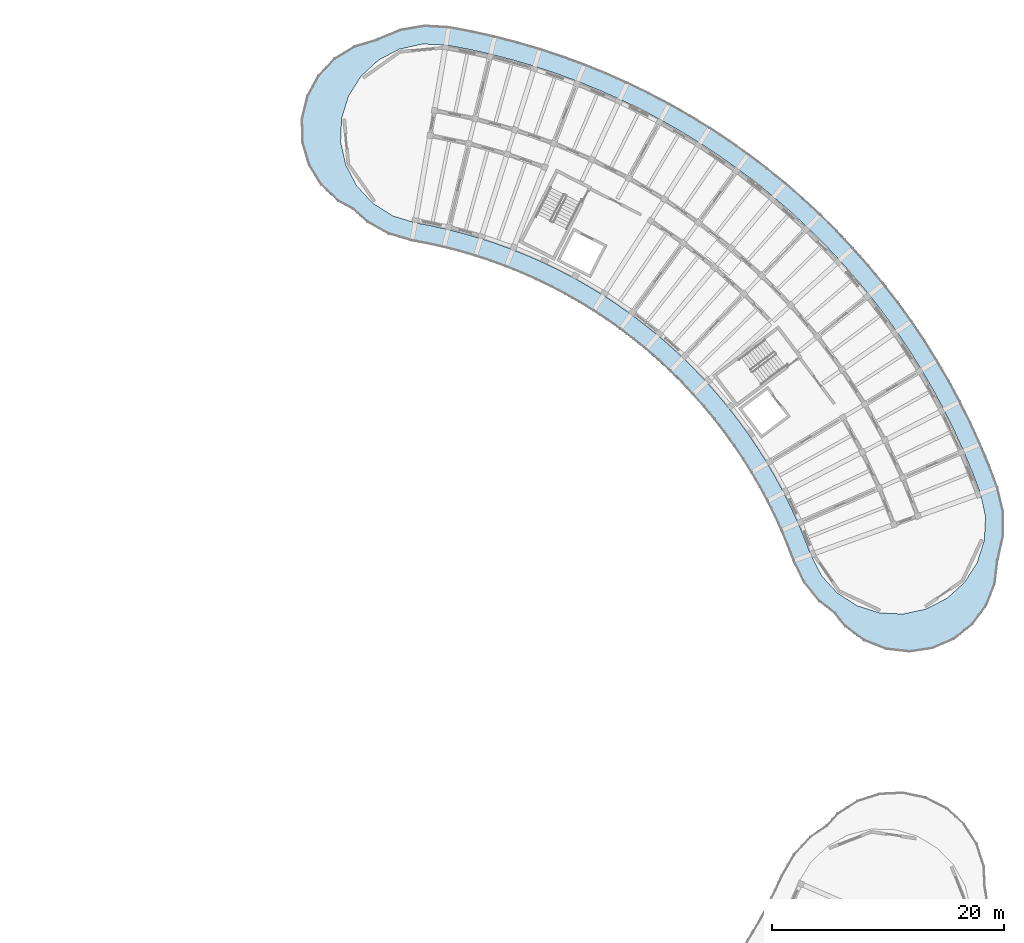
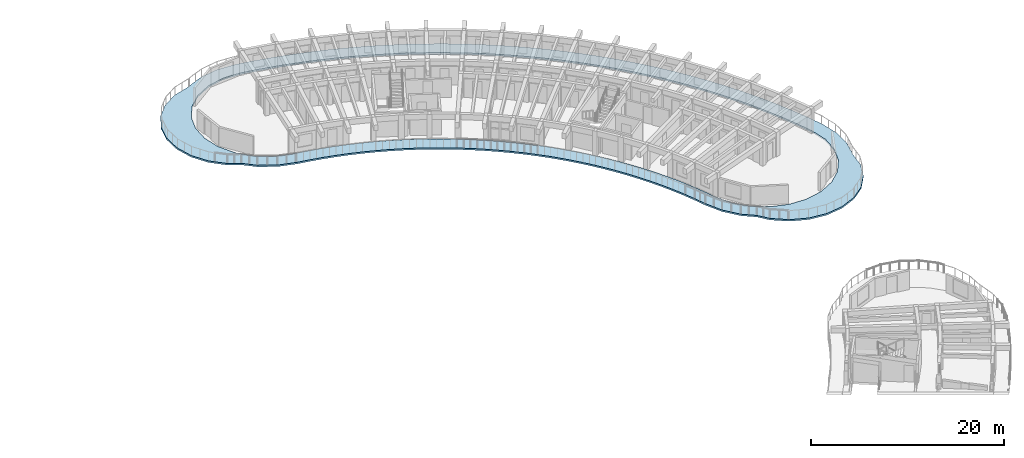
# One storey, part 37 of 83: 1 slab.
"""IFC4 building model written with IfcOpenShell, lengths in metres."""

import ifcopenshell
import ifcopenshell.guid

model = None  # the IFC model being written
_history = None  # IfcOwnerHistory: only IFC2X3 demands one
_inside = {}  # id of a spatial element -> (the spatial element, [elements in it])
_under = {}  # id of a project, library or spatial element -> (it, [spatial elements below it])
_declared = {}  # id of a project -> (the project, [libraries it declares])
_typed = {}  # id of a type object -> (the type object, [elements of that type])
_made_of = {}  # id of a material, layer set ... -> (it, [elements and type objects made of it])


def new_model(schema):
    """Start an empty IFC model of exactly this schema.

    Asked for "IFC4X3", IfcOpenShell would pick the latest addendum, in which some entities
    have other attributes; the version numbers below select the first issue.
    IFC2X3 requires an IfcOwnerHistory on every rooted entity: one is made here for all.
    """
    global model, _history
    if schema == "IFC4X3":
        model = ifcopenshell.file(schema_version=(4, 3, 0, 0))
    else:
        model = ifcopenshell.file(schema=schema)
    _inside.clear()
    _under.clear()
    _declared.clear()
    _typed.clear()
    _made_of.clear()
    _history = None
    if model.schema == "IFC2X3":
        org = make("IfcOrganization", Name="unknown")
        user = make(
            "IfcPersonAndOrganization",
            ThePerson=make("IfcPerson", FamilyName="unknown"),
            TheOrganization=org,
        )
        app = make(
            "IfcApplication",
            ApplicationDeveloper=org,
            Version="unknown",
            ApplicationFullName="unknown",
            ApplicationIdentifier="unknown",
        )
        _history = make(
            "IfcOwnerHistory",
            OwningUser=user,
            OwningApplication=app,
            ChangeAction="ADDED",
            CreationDate=0,
        )
    return model


def make(cls, **values):
    """One entity of the class cls with the attributes given. An attribute that is None is left unset."""
    return model.create_entity(
        cls, **{name: value for name, value in values.items() if value is not None}
    )


def rooted(cls, **values):
    """An entity with a GlobalId (a new one), such as an element, a storey or a relation."""
    return make(cls, GlobalId=ifcopenshell.guid.new(), OwnerHistory=_history, **values)


def si_unit(unit_type, name, prefix=None):
    """IfcSIUnit, for example si_unit("LENGTHUNIT", "METRE", prefix="MILLI")."""
    return make("IfcSIUnit", UnitType=unit_type, Prefix=prefix, Name=name)


def assignment(units):
    """IfcUnitAssignment: the units of a project."""
    return None if units is None else make("IfcUnitAssignment", Units=units)


def point(xyz):
    """IfcCartesianPoint."""
    return None if xyz is None else make("IfcCartesianPoint", Coordinates=xyz)


def direction(xyz):
    """IfcDirection."""
    return None if xyz is None else make("IfcDirection", DirectionRatios=xyz)


def frame(location, z_axis=None, x_axis=None):
    """IfcAxis2Placement3D, a coordinate frame: its origin and axes. An axis left out is left unset."""
    return make(
        "IfcAxis2Placement3D",
        Location=point(location),
        Axis=direction(z_axis),
        RefDirection=direction(x_axis),
    )


def origin():
    """The frame at (0, 0, 0) with its axes left unset."""
    return frame((0.0, 0.0, 0.0))


def place(relative_to, where):
    """IfcLocalPlacement: puts the frame where relative to a parent placement (None: the world)."""
    return make(
        "IfcLocalPlacement", PlacementRelTo=relative_to, RelativePlacement=where
    )


def context(
    kind, dimensions, precision=None, world=None, true_north=None, identifier=None
):
    """IfcGeometricRepresentationContext, for example the 3D "Model" context."""
    return make(
        "IfcGeometricRepresentationContext",
        ContextIdentifier=identifier,
        ContextType=kind,
        CoordinateSpaceDimension=dimensions,
        Precision=precision,
        WorldCoordinateSystem=world,
        TrueNorth=true_north,
    )


def subcontext(parent, identifier, kind, view, scale=None):
    """IfcGeometricRepresentationSubContext, for example "Body" below "Model"."""
    return make(
        "IfcGeometricRepresentationSubContext",
        ContextIdentifier=identifier,
        ContextType=kind,
        ParentContext=parent,
        TargetScale=scale,
        TargetView=view,
    )


def project(units=None, contexts=None):
    """IfcProject with its units and contexts."""
    return rooted(
        "IfcProject",
        Name="project",
        RepresentationContexts=contexts,
        UnitsInContext=assignment(units),
    )


def spatial(cls, under=None, at=None, **own):
    """A site, building, storey or space (cls), placed at a placement, below another one or the project."""
    s = rooted(cls, ObjectPlacement=at, **own)
    if under is not None:
        _under.setdefault(under.id(), (under, []))[1].append(s)
    return s


def polyline(points):
    """IfcPolyline through the points."""
    return make("IfcPolyline", Points=[point(p) for p in points])


def outline(outer, holes=None, kind="AREA"):
    """IfcArbitraryClosedProfileDef: a profile drawn as a closed curve; with holes, ...WithVoids."""
    if holes is None:
        return make("IfcArbitraryClosedProfileDef", ProfileType=kind, OuterCurve=outer)
    return make(
        "IfcArbitraryProfileDefWithVoids",
        ProfileType=kind,
        OuterCurve=outer,
        InnerCurves=holes,
    )


def extrude(swept, where, along, depth):
    """IfcExtrudedAreaSolid: the profile swept, set in the frame where, extruded along a direction by depth."""
    return make(
        "IfcExtrudedAreaSolid",
        SweptArea=swept,
        Position=where,
        ExtrudedDirection=direction(along),
        Depth=depth,
    )


def shape(context_of_items, identifier, shape_type, items):
    """IfcShapeRepresentation: the items that make up one representation, for example the "Body"."""
    return make(
        "IfcShapeRepresentation",
        ContextOfItems=context_of_items,
        RepresentationIdentifier=identifier,
        RepresentationType=shape_type,
        Items=items,
    )


def material(Name=None, Category=None):
    """IfcMaterial."""
    return make("IfcMaterial", Name=Name, Category=Category)


def layer(
    of_material, thickness, ventilated=None, Name=None, Category=None, Priority=None
):
    """IfcMaterialLayer: one layer of a wall or slab, of a material (None: an air gap)."""
    return make(
        "IfcMaterialLayer",
        Material=of_material,
        LayerThickness=thickness,
        IsVentilated=ventilated,
        Name=Name,
        Category=Category,
        Priority=Priority,
    )


def layer_set(layers, Name=None):
    """IfcMaterialLayerSet."""
    return make("IfcMaterialLayerSet", MaterialLayers=layers, LayerSetName=Name)


def made_of(thing, what):
    """Note that an element or type object is made of a material, layer set ...; save() writes the relation."""
    if what is not None:
        _made_of.setdefault(what.id(), (what, []))[1].append(thing)
    return thing


def type_object(cls, material=None, **own):
    """A type object (cls), such as IfcWallType, which elements share."""
    return made_of(rooted(cls, **own), material)


def element(
    cls,
    number,
    at=None,
    inside=None,
    cuts=None,
    type_object=None,
    material=None,
    context=None,
    identifier="Body",
    shape_type=None,
    held_by="IfcProductDefinitionShape",
    body=None,
    shapes=None,
    **own,
):
    """One element of the class cls, such as IfcWall. Its Tag is "e" and its number.

    at: its placement. inside: the storey or other place that contains it. cuts: it is an
    opening in that element (IfcRelVoidsElement). A single representation is given by context,
    identifier, shape_type and body (its items); several are given by shapes. held_by: the class
    of the entity that holds the representations. save() writes the other relations.
    """
    e = rooted(cls, Tag="e%d" % number, ObjectPlacement=at, **own)
    if body is not None:
        shapes = [shape(context, identifier, shape_type, body)]
    if shapes is not None:
        e.Representation = make(held_by, Representations=shapes)
    if inside is not None:
        _inside.setdefault(inside.id(), (inside, []))[1].append(e)
    if cuts is not None:
        rooted(
            "IfcRelVoidsElement", RelatingBuildingElement=cuts, RelatedOpeningElement=e
        )
    if type_object is not None:
        _typed.setdefault(type_object.id(), (type_object, []))[1].append(e)
    return made_of(e, material)


def aggregate(whole, parts):
    """IfcRelAggregates: a whole, such as a stair, and the parts it consists of."""
    return rooted("IfcRelAggregates", RelatingObject=whole, RelatedObjects=parts)


def save(model, path):
    """Write the relations noted so far, then the file.

    IfcRelAggregates (storeys below a building ...), IfcRelContainedInSpatialStructure (elements
    in a storey), IfcRelDefinesByType, IfcRelAssociatesMaterial and IfcRelDeclares: one each for
    every whole, place, type object, material and project.
    """
    for whole, parts in _under.values():
        aggregate(whole, parts)
    for where, things in _inside.values():
        rooted(
            "IfcRelContainedInSpatialStructure",
            RelatedElements=things,
            RelatingStructure=where,
        )
    for kind, things in _typed.values():
        rooted("IfcRelDefinesByType", RelatedObjects=things, RelatingType=kind)
    for what, things in _made_of.values():
        rooted("IfcRelAssociatesMaterial", RelatedObjects=things, RelatingMaterial=what)
    for by, libraries in _declared.values():
        rooted("IfcRelDeclares", RelatingContext=by, RelatedDefinitions=libraries)
    model.write(path)


model = new_model("IFC4")

# Units and contexts
model_context = context("Model", 3, precision=1e-05, world=origin(), true_north=direction((0.0, 1.0)))
body_context = subcontext(model_context, "Body", "Model", "MODEL_VIEW")
ifc_project = project(units=[si_unit("LENGTHUNIT", "METRE"), si_unit("AREAUNIT", "SQUARE_METRE"), si_unit("VOLUMEUNIT", "CUBIC_METRE"), si_unit("PLANEANGLEUNIT", "RADIAN"), si_unit("MASSUNIT", "GRAM", prefix="KILO")], contexts=[model_context])

# Site, building, storey
site_placement = place(None, origin())
site = spatial("IfcSite", under=ifc_project, at=site_placement, CompositionType="ELEMENT")
building_placement = place(site_placement, origin())
building = spatial("IfcBuilding", under=site, at=building_placement, Name="Tanwirah Colonnade Gardens", CompositionType="ELEMENT")
storey_placement = place(building_placement, frame((0.0, 0.0, 25.639892578125)))
storey = spatial("IfcBuildingStorey", under=building, at=storey_placement, Name="L07", CompositionType="ELEMENT", Elevation=25.639892578125)

# Slab
ifc_material = material(Name="White architectural precast concrete C40/50", Category="concrete")
ifc_layer = layer(ifc_material, 0.199951171875)
ifc_layer_set = layer_set([ifc_layer], Name="White architectural precast concrete C40/50")
slab_type = type_object("IfcSlabType", Name="SL-BAL-200", PredefinedType="FLOOR", material=ifc_layer_set)
slab_placement = place(storey_placement, frame((0.0, 0.0, -0.199951171875)))
element("IfcSlab", 1, at=slab_placement, inside=storey, type_object=slab_type, Name="Block B L07 Continuous White Balcony Ribbon", PredefinedType="FLOOR", context=body_context, shape_type="SweptSolid", body=[
    extrude(outline(polyline([(164.666259765625, 70.05517578125), (165.5673828125, 68.92236328125), (167.2041015625, 67.711181640625), (169.0986328125, 66.96484375), (171.121826171875, 66.734375), (173.135498046875, 67.035400390625), (175.0029296875, 67.84716796875), (176.596435546875, 69.11474609375), (177.8076171875, 70.751708984375), (178.553955078125, 72.646240234375), (178.7841796875, 74.66650390625), (178.83154296875, 74.76708984375), (179.2822265625, 76.8232421875), (179.26416015625, 78.927978515625), (178.778076171875, 80.97607421875), (178.06201171875, 82.869140625), (177.28369140625, 84.73779296875), (176.4443359375, 86.57958984375), (175.544677734375, 88.392822265625), (174.585693359375, 90.17529296875), (173.568603515625, 91.92529296875), (172.494384765625, 93.640869140625), (171.3642578125, 95.320068359375), (170.17919921875, 96.9609375), (168.940673828125, 98.56201171875), (167.650146484375, 100.121337890625), (166.30908203125, 101.63720703125), (164.91845703125, 103.108154296875), (163.48046875, 104.532470703125), (161.99609375, 105.90869140625), (160.467041015625, 107.235107421875), (158.895263671875, 108.510498046875), (157.282470703125, 109.7333984375), (155.6298828125, 110.90234375), (153.93994140625, 112.01611328125), (152.214111328125, 113.07373046875), (150.454345703125, 114.073974609375), (148.66259765625, 115.015380859375), (146.8408203125, 115.8974609375), (144.990966796875, 116.718994140625), (143.114990234375, 117.47900390625), (141.21484375, 118.1767578125), (139.29296875, 118.811767578125), (137.35107421875, 119.3828125), (135.391357421875, 119.8896484375), (133.416259765625, 120.33154296875), (131.427490234375, 120.7080078125), (129.326171875, 120.8310546875), (127.25, 120.4833984375), (125.303466796875, 119.682373046875), (125.212646484375, 119.618408203125), (123.262939453125, 119.040771484375), (121.52685546875, 117.976806640625), (120.125244140625, 116.499755859375), (119.153564453125, 114.71044921875), (118.67822265625, 112.73046875), (118.7314453125, 110.695068359375), (119.309814453125, 108.74267578125), (120.373779296875, 107.00634765625), (121.850830078125, 105.604736328125), (123.122802734375, 104.9140625), (124.37353515625, 103.791259765625), (126.21337890625, 102.7685546875), (128.234619140625, 102.18115234375), (129.614501953125, 101.919921875), (130.98486328125, 101.61328125), (132.344482421875, 101.26171875), (133.69189453125, 100.865478515625), (135.025390625, 100.425048828125), (136.343505859375, 99.94091796875), (137.645263671875, 99.41357421875), (138.9287109375, 98.843505859375), (140.192626953125, 98.231689453125), (141.435791015625, 97.578369140625), (142.65673828125, 96.884521484375), (143.85400390625, 96.150634765625), (145.026611328125, 95.3779296875), (146.173095703125, 94.566650390625), (147.292236328125, 93.71826171875), (148.3828125, 92.83349609375), (149.443603515625, 91.9130859375), (150.473388671875, 90.95849609375), (151.47119140625, 89.97021484375), (152.435791015625, 88.94970703125), (153.366455078125, 87.89794921875), (154.26171875, 86.81591796875), (155.12109375, 85.705078125), (155.943115234375, 84.566650390625), (156.727294921875, 83.401611328125), (157.47265625, 82.21142578125), (158.178466796875, 80.997314453125), (158.84375, 79.760498046875), (159.468017578125, 78.50244140625), (160.05029296875, 77.224609375), (160.590087890625, 75.92822265625), (161.087158203125, 74.61474609375), (162.0166015625, 72.72607421875), (163.34326171875, 71.091796875), (164.666259765625, 70.05517578125)]), holes=[polyline([(163.54248046875, 73.35791015625), (162.611083984375, 75.164306640625), (162.095947265625, 76.52587890625), (162.095703125, 76.526611328125), (161.535400390625, 77.87158203125), (161.53515625, 77.872314453125), (160.930908203125, 79.1982421875), (160.9306640625, 79.19873046875), (160.282958984375, 80.504150390625), (160.28271484375, 80.504638671875), (159.59228515625, 81.787841796875), (159.592041015625, 81.788330078125), (158.85986328125, 83.048095703125), (158.859619140625, 83.048828125), (158.086181640625, 84.28369140625), (158.0859375, 84.2841796875), (157.272216796875, 85.492919921875), (157.271728515625, 85.493408203125), (156.418701171875, 86.6748046875), (156.41845703125, 86.67529296875), (155.52685546875, 87.827880859375), (155.526611328125, 87.828369140625), (154.597412109375, 88.950927734375), (154.59716796875, 88.951416015625), (153.631591796875, 90.042724609375), (153.631103515625, 90.043212890625), (152.630126953125, 91.10205078125), (152.629638671875, 91.1025390625), (151.594482421875, 92.1279296875), (151.593994140625, 92.12841796875), (150.525390625, 93.118896484375), (150.52490234375, 93.119384765625), (149.42431640625, 94.07421875), (149.423828125, 94.07470703125), (148.292236328125, 94.99267578125), (148.291748046875, 94.9931640625), (147.130615234375, 95.87353515625), (147.130126953125, 95.873779296875), (145.940673828125, 96.71533203125), (145.940185546875, 96.7158203125), (144.723388671875, 97.517578125), (144.722900390625, 97.51806640625), (143.48046875, 98.279296875), (143.47998046875, 98.279541015625), (142.213134765625, 98.99951171875), (142.212646484375, 99.0), (140.9228515625, 99.677734375), (140.922119140625, 99.677978515625), (139.61083984375, 100.31298828125), (139.610107421875, 100.313232421875), (138.2783203125, 100.904541015625), (138.27783203125, 100.90478515625), (136.92724609375, 101.451904296875), (136.9267578125, 101.4521484375), (135.55908203125, 101.95458984375), (135.558349609375, 101.954833984375), (134.1748046875, 102.411865234375), (134.174072265625, 102.411865234375), (132.7763671875, 102.822998046875), (132.775634765625, 102.8232421875), (131.364990234375, 103.18798828125), (131.3642578125, 103.188232421875), (129.9423828125, 103.50634765625), (129.941650390625, 103.506591796875), (128.51123046875, 103.77734375), (126.570556640625, 104.381103515625), (124.853515625, 105.465576171875), (123.4755859375, 106.95751953125), (122.53076171875, 108.75537109375), (122.08349609375, 110.736572265625), (122.164306640625, 112.765869140625), (122.767333984375, 114.705078125), (123.85205078125, 116.42236328125), (125.343994140625, 117.800048828125), (127.141845703125, 118.744873046875), (129.122802734375, 119.192138671875), (131.1533203125, 119.111328125), (133.088623046875, 118.744873046875), (135.01171875, 118.314697265625), (136.919677734375, 117.8212890625), (138.810302734375, 117.26513671875), (140.681640625, 116.647216796875), (142.531494140625, 115.9677734375), (144.35791015625, 115.227783203125), (146.158935546875, 114.427978515625), (147.932861328125, 113.5693359375), (149.67724609375, 112.652587890625), (151.390625, 111.6787109375), (153.07080078125, 110.649169921875), (154.71630859375, 109.564453125), (156.3251953125, 108.42626953125), (157.8955078125, 107.23583984375), (159.42578125, 105.994140625), (160.914306640625, 104.70263671875), (162.359619140625, 103.36279296875), (163.759765625, 101.97607421875), (165.113525390625, 100.5439453125), (166.41943359375, 99.068115234375), (167.67578125, 97.5498046875), (168.881591796875, 95.990966796875), (170.035400390625, 94.393310546875), (171.1357421875, 92.758544921875), (172.181640625, 91.08837890625), (173.171875, 89.384521484375), (174.10546875, 87.64892578125), (174.9814453125, 85.883544921875), (175.798828125, 84.09033203125), (176.556396484375, 82.271240234375), (177.253173828125, 80.428955078125), (177.685302734375, 78.443359375), (177.5888671875, 76.414794921875), (176.970703125, 74.480224609375), (175.872802734375, 72.771484375), (174.3701171875, 71.4052734375), (172.565185546875, 70.474365234375), (170.58056640625, 70.04248046875), (168.552001953125, 70.13916015625), (166.617431640625, 70.75732421875), (164.90869140625, 71.855224609375), (163.54248046875, 73.35791015625)])]), origin(), (0.0, 0.0, 1.0), 0.199951171875),
])

save(model, "model.ifc")
